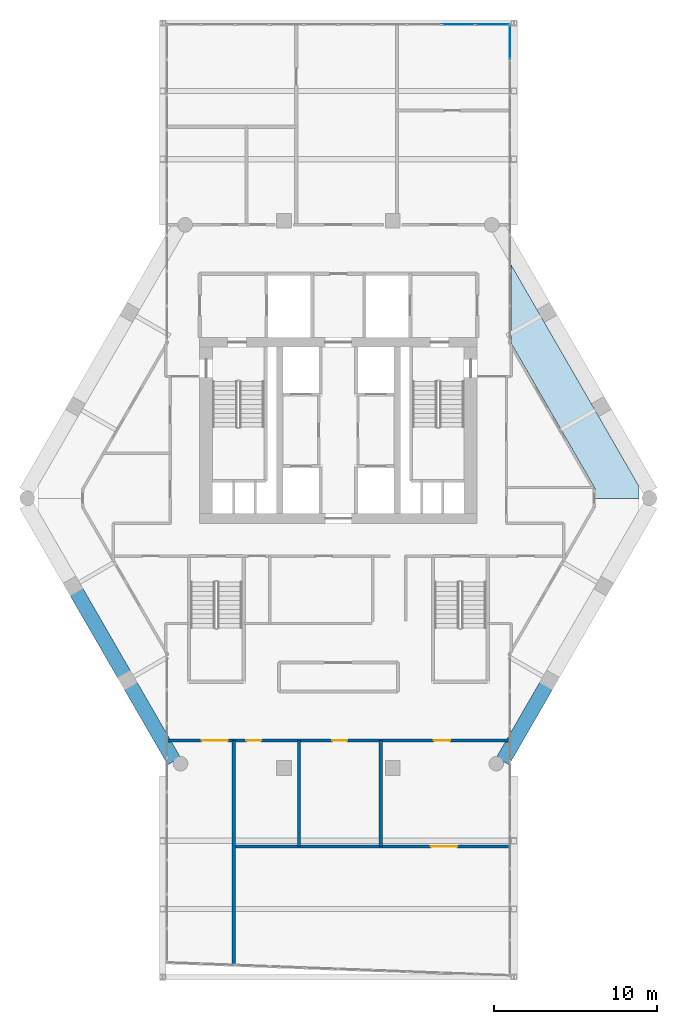
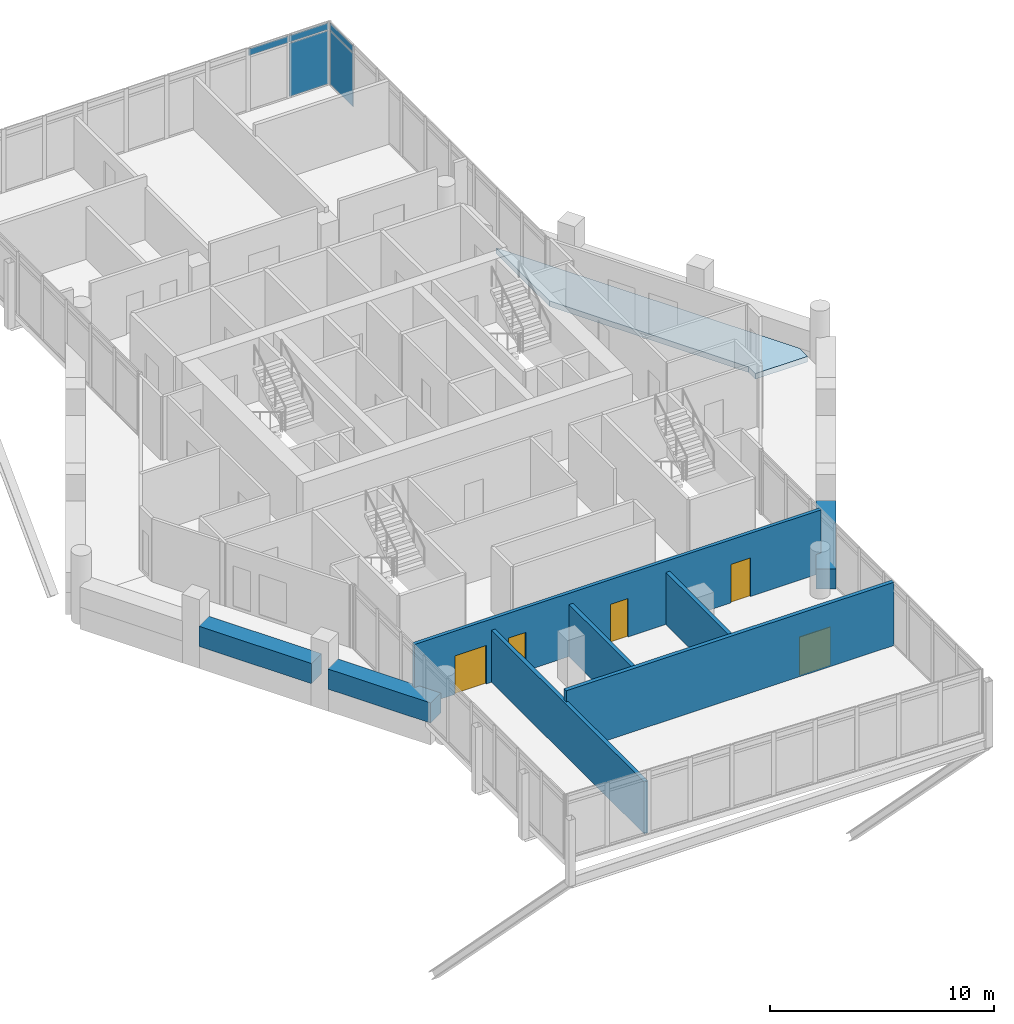
# One storey, part 28 of 34: 8 walls, 5 doors, 5 plates, 1 slab, 5 openings, 2 elements without a shape of their own.
"""IFC4 building model written with IfcOpenShell, lengths in metres."""

from ifc_helpers import new_model, si_unit, direction, frame, frame_2d, origin, origin_2d, place, context, subcontext, project, spatial, polyline, rectangle, outline, extrude, material, layer, layer_set, type_object, element, fill, aggregate, save


model = new_model("IFC4")

# Units and contexts
model_context = context("Model", 3, precision=1e-05, world=origin(), true_north=direction((0.0, 1.0)))
body_context = subcontext(model_context, "Body", "Model", "MODEL_VIEW")
ifc_project = project(units=[si_unit("LENGTHUNIT", "METRE"), si_unit("AREAUNIT", "SQUARE_METRE"), si_unit("VOLUMEUNIT", "CUBIC_METRE"), si_unit("PLANEANGLEUNIT", "RADIAN"), si_unit("MASSUNIT", "GRAM", prefix="KILO")], contexts=[model_context])

# Site, building, storey
site_placement = place(None, origin())
site = spatial("IfcSite", under=ifc_project, at=site_placement, CompositionType="ELEMENT")
building_placement = place(site_placement, origin())
building = spatial("IfcBuilding", under=site, at=building_placement, Name="Ostrander Bayou Hotel Tower", CompositionType="ELEMENT")
storey_placement = place(building_placement, frame((0.0, 0.0, 222.0)))
storey = spatial("IfcBuildingStorey", under=building, at=storey_placement, Name="L55", CompositionType="ELEMENT", Elevation=222.0)

# Curtain wall, plates
ifc_material_1 = material(Name="Aluminium and clear glass", Category="aluminium")
curtain_wall_type = type_object("IfcCurtainWallType", Name="CW-BAR glazed wall", PredefinedType="NOTDEFINED", material=ifc_material_1)
curtain_wall_1_placement = place(storey_placement, origin())
curtain_wall_1 = element("IfcCurtainWall", 1, at=curtain_wall_1_placement, inside=storey, type_object=curtain_wall_type, Name="CW-BAR L55:SB5N:T", PredefinedType="NOTDEFINED")
ifc_material_2 = material(Name="Clear laminated glass", Category="glass")
ifc_layer_1 = layer(ifc_material_2, 0.028076171875)
ifc_layer_set_1 = layer_set([ifc_layer_1], Name="CW-BR glazing panel 28 mm")
plate_type = type_object("IfcPlateType", Name="CW-BR glazing panel 28 mm", PredefinedType="CURTAIN_PANEL", material=ifc_layer_set_1)
plate_1_placement = place(storey_placement, frame((7.358642578125, 28.86669921875, 3.02978515625), z_axis=(0.0, 0.0, 1.0), x_axis=(1.0, 0.0, 0.0)))
plate_1 = element("IfcPlate", 2, at=plate_1_placement, type_object=plate_type, Name="CW-BAR panel 9.2", PredefinedType="CURTAIN_PANEL", context=body_context, shape_type="SweptSolid", body=[
    extrude(rectangle(XDim=2.04248046875, YDim=0.028076171875, at=origin_2d()), origin(), (0.0, 0.0, 1.0), 0.360107421875),
])
plate_2_placement = place(storey_placement, frame((9.446044921875, 28.86669921875, 0.06005859375), z_axis=(0.0, 0.0, 1.0), x_axis=(1.0, 0.0, 0.0)))
plate_2 = element("IfcPlate", 3, at=plate_2_placement, type_object=plate_type, Name="CW-BAR panel 10.1", PredefinedType="CURTAIN_PANEL", context=body_context, shape_type="SweptSolid", body=[
    extrude(rectangle(XDim=2.012451171875, YDim=0.028076171875, at=origin_2d()), origin(), (0.0, 0.0, 1.0), 2.909912109375),
])
plate_3_placement = place(storey_placement, frame((9.446044921875, 28.86669921875, 3.02978515625), z_axis=(0.0, 0.0, 1.0), x_axis=(1.0, 0.0, 0.0)))
plate_3 = element("IfcPlate", 4, at=plate_3_placement, type_object=plate_type, Name="CW-BAR panel 10.2", PredefinedType="CURTAIN_PANEL", context=body_context, shape_type="SweptSolid", body=[
    extrude(rectangle(XDim=2.012451171875, YDim=0.028076171875, at=origin_2d()), origin(), (0.0, 0.0, 1.0), 0.360107421875),
])
aggregate(curtain_wall_1, [plate_1, plate_2, plate_3])

curtain_wall_2_placement = place(storey_placement, origin())
curtain_wall_2 = element("IfcCurtainWall", 5, at=curtain_wall_2_placement, inside=storey, type_object=curtain_wall_type, Name="CW-BAR L55:SB5N:W", PredefinedType="NOTDEFINED")
plate_4_placement = place(storey_placement, frame((10.51220703125, 27.773681640625, 0.06005859375), z_axis=(0.0, 0.0, 1.0), x_axis=(0.0, 1.0, 0.0)))
plate_4 = element("IfcPlate", 6, at=plate_4_placement, type_object=plate_type, Name="CW-BAR panel 9.1", PredefinedType="CURTAIN_PANEL", context=body_context, shape_type="SweptSolid", body=[
    extrude(rectangle(XDim=2.065673828125, YDim=0.028076171875, at=origin_2d()), origin(), (0.0, 0.0, 1.0), 2.909912109375),
])
plate_5_placement = place(storey_placement, frame((10.51220703125, 27.773681640625, 3.02978515625), z_axis=(0.0, 0.0, 1.0), x_axis=(0.0, 1.0, 0.0)))
plate_5 = element("IfcPlate", 7, at=plate_5_placement, type_object=plate_type, Name="CW-BAR panel 9.2", PredefinedType="CURTAIN_PANEL", context=body_context, shape_type="SweptSolid", body=[
    extrude(rectangle(XDim=2.065673828125, YDim=0.028076171875, at=origin_2d()), origin(), (0.0, 0.0, 1.0), 0.360107421875),
])
aggregate(curtain_wall_2, [plate_4, plate_5])

# Slab
ifc_material_3 = material(Name="Concrete f'c 40 MPa", Category="concrete")
ifc_layer_2 = layer(ifc_material_3, 0.300048828125)
ifc_layer_set_2 = layer_set([ifc_layer_2], Name="SL4 loggia slab 300 mm f'c 40 MPa")
slab_type = type_object("IfcSlabType", Name="SL4 loggia slab 300 mm f'c 40 MPa", PredefinedType="FLOOR", material=ifc_layer_set_2)
slab_placement = place(storey_placement, frame((0.0, 0.0, -0.300048828125)))
element("IfcSlab", 8, at=slab_placement, inside=storey, type_object=slab_type, Name="SL4 LOGGIA L55 NE 1", PredefinedType="FLOOR", context=body_context, shape_type="SweptSolid", body=[
    extrude(outline(polyline([(10.587158203125, 14.135009765625), (12.186279296875, 11.365234375), (12.6064453125, 10.6376953125), (15.515869140625, 5.5986328125), (15.935791015625, 4.87109375), (18.40966796875, 0.586181640625), (18.40966796875, -0.163818359375), (15.724853515625, -0.163818359375), (15.724853515625, 0.436279296875), (10.587158203125, 9.335205078125), (10.587158203125, 14.135009765625)])), origin(), (0.0, 0.0, 1.0), 0.300048828125),
])

# Walls
ifc_material_4 = material(Name="Limestone masonry", Category="masonry")
ifc_layer_3 = layer(ifc_material_4, 0.89990234375)
ifc_layer_set_3 = layer_set([ifc_layer_3], Name="PA2 limestone parapet 900 mm")
wall_type_1 = type_object("IfcWallType", Name="PA2 limestone parapet 900 mm", PredefinedType="PARAPET", material=ifc_layer_set_3)
wall_1_placement = place(storey_placement, frame((-16.047119140625, -5.905517578125, 0.0), z_axis=(0.0, 0.0, 1.0), x_axis=(0.500015433515, -0.866016493057, 0.0)))
element("IfcWall", 9, at=wall_1_placement, inside=storey, type_object=wall_type_1, Name="PA2 L55 SW-2", PredefinedType="PARAPET", context=body_context, shape_type="SweptSolid", body=[
    extrude(rectangle(XDim=5.818603515625, YDim=0.89990234375, at=frame_2d((2.9091796875, 0.0))), origin(), (0.0, 0.0, 1.0), 1.10009765625),
])
for number, where, z_axis, x_axis, name in (
    (10, (-12.7177734375, -11.672119140625, 0.0), (0.0, 0.0, 1.0), (0.500001430823, -0.866024577697, 0.0), "PA2 L55 SW-3"),
    (11, (10.06640625, -16.264404296875, 0.0), (0.0, 0.0, 1.0), (0.500001430823, 0.866024577697, 0.0), "PA2 L55 SE-1"),
):
    element("IfcWall", number, at=place(storey_placement, frame(where, z_axis=z_axis, x_axis=x_axis)), inside=storey, type_object=wall_type_1, Name=name, PredefinedType="PARAPET", context=body_context, shape_type="SweptSolid", body=[
        extrude(rectangle(XDim=5.302734375, YDim=0.89990234375, at=frame_2d((2.6513671875, 0.0))), origin(), (0.0, 0.0, 1.0), 1.10009765625),
    ])

# Wall, opening, door
ifc_material_5 = material(Name="Gypsum board partition", Category="finish")
ifc_layer_4 = layer(ifc_material_5, 0.199951171875)
ifc_layer_set_4 = layer_set([ifc_layer_4], Name="PT3 demising wall 200 mm acoustic double stud, 1 hour")
wall_type_2 = type_object("IfcWallType", Name="PT3 demising wall 200 mm acoustic double stud, 1 hour", PredefinedType="PARTITIONING", material=ifc_layer_set_4)
wall_2_placement = place(storey_placement, frame((-6.412841796875, -21.5, 0.0), z_axis=(0.0, 0.0, 1.0), x_axis=(1.0, 0.0, 0.0)))
wall_2 = element("IfcWall", 12, at=wall_2_placement, inside=storey, type_object=wall_type_2, Name="sw:L55:510", PredefinedType="PARTITIONING", context=body_context, shape_type="SweptSolid", body=[
    extrude(rectangle(XDim=16.906005859375, YDim=0.199951171875, at=frame_2d((8.453125, 0.0))), origin(), (0.0, 0.0, 1.0), 3.449951171875),
])
opening_1_placement = place(wall_2_placement, frame((12.0849609375, 0.0, 0.0)))
opening_1 = element("IfcOpeningElement", 13, at=opening_1_placement, cuts=wall_2, Name="Opening T55-1205", PredefinedType="OPENING", context=body_context, shape_type="SweptSolid", body=[
    extrude(rectangle(XDim=1.60009765625, YDim=2.10009765625, at=frame_2d((0.800048828125, 1.050048828125))), frame((0.0, 0.10009765625, 0.0), z_axis=(0.0, -1.0, 0.0), x_axis=(1.0, 0.0, 0.0)), (0.0, 0.0, 1.0), 0.199951171875),
])
ifc_material_6 = material(Name="Timber door leaf", Category="wood")
door_type_1 = type_object("IfcDoorType", Name="D13 double door 1600 x 2100 mm, 1 hour", OperationType="SINGLE_SWING_LEFT", PredefinedType="DOOR", material=ifc_material_6)
door_1_placement = place(opening_1_placement, origin())
door_1 = element("IfcDoor", 14, at=door_1_placement, inside=storey, type_object=door_type_1, Name="dr:L55:1205", OperationType="DOUBLE_DOOR_SINGLE_SWING", OverallHeight=2.10009765625, OverallWidth=1.60009765625, PredefinedType="DOOR", context=body_context, shape_type="SweptSolid", body=[
    extrude(rectangle(XDim=1.60009765625, YDim=2.10009765625, at=frame_2d((0.800048828125, 1.050048828125))), frame((0.0, 0.02490234375, 0.0), z_axis=(0.0, -1.0, 0.0), x_axis=(1.0, 0.0, 0.0)), (0.0, 0.0, 1.0), 0.050048828125),
])
fill(opening_1, door_1)

# Walls
wall_3_placement = place(storey_placement, frame((-6.4130859375, -28.73876953125, 0.0), z_axis=(0.0, 0.0, 1.0), x_axis=(0.0, 1.0, 0.0)))
element("IfcWall", 15, at=wall_3_placement, inside=storey, type_object=wall_type_2, Name="sw:L55:513", PredefinedType="PARTITIONING", context=body_context, shape_type="SweptSolid", body=[
    extrude(rectangle(XDim=13.73876953125, YDim=0.199951171875, at=frame_2d((6.869384765625, 0.0))), origin(), (0.0, 0.0, 1.0), 2.8388671875),
])
for number, where, z_axis, x_axis, name in (
    (16, (-2.4130859375, -21.5, 0.0), (0.0, 0.0, 1.0), (0.0, 1.0, 0.0), "sw:L55:516"),
    (17, (2.5869140625, -21.5, 0.0), (0.0, 0.0, 1.0), (0.0, 1.0, 0.0), "sw:L55:517"),
):
    element("IfcWall", number, at=place(storey_placement, frame(where, z_axis=z_axis, x_axis=x_axis)), inside=storey, type_object=wall_type_2, Name=name, PredefinedType="PARTITIONING", context=body_context, shape_type="SweptSolid", body=[
        extrude(rectangle(XDim=6.5, YDim=0.199951171875, at=frame_2d((3.25, 0.0))), origin(), (0.0, 0.0, 1.0), 2.8388671875),
    ])

# Wall, openings, doors
ifc_material_7 = material(Name="Gypsum board partition", Category="finish")
ifc_layer_5 = layer(ifc_material_7, 0.175048828125)
ifc_layer_set_5 = layer_set([ifc_layer_5], Name="PT4 corridor wall 175 mm, 1 hour")
wall_type_3 = type_object("IfcWallType", Name="PT4 corridor wall 175 mm, 1 hour", PredefinedType="PARTITIONING", material=ifc_layer_set_5)
wall_4_placement = place(storey_placement, frame((-10.4931640625, -15.0, 0.0), z_axis=(0.0, 0.0, 1.0), x_axis=(1.0, 0.0, 0.0)))
wall_4 = element("IfcWall", 18, at=wall_4_placement, inside=storey, type_object=wall_type_3, Name="sw:L55:500", PredefinedType="PARTITIONING", context=body_context, shape_type="SweptSolid", body=[
    extrude(rectangle(XDim=20.986328125, YDim=0.175048828125, at=frame_2d((10.4931640625, 0.0))), origin(), (0.0, 0.0, 1.0), 3.449951171875),
])
opening_2_placement = place(wall_4_placement, frame((4.85986328125, 0.0, 0.0)))
opening_2 = element("IfcOpeningElement", 19, at=opening_2_placement, cuts=wall_4, Name="Opening T55-1201", PredefinedType="OPENING", context=body_context, shape_type="SweptSolid", body=[
    extrude(rectangle(XDim=0.89990234375, YDim=2.10009765625, at=frame_2d((0.449951171875, 1.050048828125))), frame((0.0, 0.08740234375, 0.0), z_axis=(0.0, -1.0, 0.0), x_axis=(1.0, 0.0, 0.0)), (0.0, 0.0, 1.0), 0.175048828125),
])
opening_3_placement = place(wall_4_placement, frame((10.13037109375, 0.0, 0.0)))
opening_3 = element("IfcOpeningElement", 20, at=opening_3_placement, cuts=wall_4, Name="Opening T55-1202", PredefinedType="OPENING", context=body_context, shape_type="SweptSolid", body=[
    extrude(rectangle(XDim=0.89990234375, YDim=2.10009765625, at=frame_2d((0.449951171875, 1.050048828125))), frame((0.0, 0.08740234375, 0.0), z_axis=(0.0, -1.0, 0.0), x_axis=(1.0, 0.0, 0.0)), (0.0, 0.0, 1.0), 0.175048828125),
])
opening_4_placement = place(wall_4_placement, frame((16.343505859375, 0.0, 0.0)))
opening_4 = element("IfcOpeningElement", 21, at=opening_4_placement, cuts=wall_4, Name="Opening T55-1203", PredefinedType="OPENING", context=body_context, shape_type="SweptSolid", body=[
    extrude(rectangle(XDim=1.0, YDim=2.10009765625, at=frame_2d((0.5, 1.050048828125))), frame((0.0, 0.08740234375, 0.0), z_axis=(0.0, -1.0, 0.0), x_axis=(1.0, 0.0, 0.0)), (0.0, 0.0, 1.0), 0.175048828125),
])
opening_5_placement = place(wall_4_placement, frame((2.11328125, 0.0, 0.0)))
opening_5 = element("IfcOpeningElement", 22, at=opening_5_placement, cuts=wall_4, Name="Opening T55-1204", PredefinedType="OPENING", context=body_context, shape_type="SweptSolid", body=[
    extrude(rectangle(XDim=1.60009765625, YDim=2.10009765625, at=frame_2d((0.800048828125, 1.050048828125))), frame((0.0, 0.08740234375, 0.0), z_axis=(0.0, -1.0, 0.0), x_axis=(1.0, 0.0, 0.0)), (0.0, 0.0, 1.0), 0.175048828125),
])
door_2_placement = place(opening_5_placement, origin())
door_2 = element("IfcDoor", 23, at=door_2_placement, inside=storey, type_object=door_type_1, Name="dr:L55:1204", OperationType="DOUBLE_DOOR_SINGLE_SWING", OverallHeight=2.10009765625, OverallWidth=1.60009765625, PredefinedType="DOOR", context=body_context, shape_type="SweptSolid", body=[
    extrude(rectangle(XDim=1.60009765625, YDim=2.10009765625, at=frame_2d((0.800048828125, 1.050048828125))), frame((0.0, 0.02490234375, 0.0), z_axis=(0.0, -1.0, 0.0), x_axis=(1.0, 0.0, 0.0)), (0.0, 0.0, 1.0), 0.050048828125),
])
fill(opening_5, door_2)
ifc_material_8 = material(Name="Timber door leaf", Category="wood")
door_type_2 = type_object("IfcDoorType", Name="D8 room door 900 x 2100 mm", OperationType="SINGLE_SWING_LEFT", PredefinedType="DOOR", material=ifc_material_8)
door_3_placement = place(opening_2_placement, origin())
door_3 = element("IfcDoor", 24, at=door_3_placement, inside=storey, type_object=door_type_2, Name="dr:L55:1201", OperationType="SINGLE_SWING_LEFT", OverallHeight=2.10009765625, OverallWidth=0.89990234375, PredefinedType="DOOR", context=body_context, shape_type="SweptSolid", body=[
    extrude(rectangle(XDim=0.89990234375, YDim=2.10009765625, at=frame_2d((0.449951171875, 1.050048828125))), frame((0.0, 0.02490234375, 0.0), z_axis=(0.0, -1.0, 0.0), x_axis=(1.0, 0.0, 0.0)), (0.0, 0.0, 1.0), 0.050048828125),
])
fill(opening_2, door_3)
door_4_placement = place(opening_3_placement, origin())
door_4 = element("IfcDoor", 25, at=door_4_placement, inside=storey, type_object=door_type_2, Name="dr:L55:1202", OperationType="SINGLE_SWING_RIGHT", OverallHeight=2.10009765625, OverallWidth=0.89990234375, PredefinedType="DOOR", context=body_context, shape_type="SweptSolid", body=[
    extrude(rectangle(XDim=0.89990234375, YDim=2.10009765625, at=frame_2d((0.449951171875, 1.050048828125))), frame((0.0, 0.02490234375, 0.0), z_axis=(0.0, -1.0, 0.0), x_axis=(1.0, 0.0, 0.0)), (0.0, 0.0, 1.0), 0.050048828125),
])
fill(opening_3, door_4)
ifc_material_9 = material(Name="Timber door leaf", Category="wood")
door_type_3 = type_object("IfcDoorType", Name="D9 service door 1000 x 2100 mm, 30 minute", OperationType="SINGLE_SWING_LEFT", PredefinedType="DOOR", material=ifc_material_9)
door_5_placement = place(opening_4_placement, origin())
door_5 = element("IfcDoor", 26, at=door_5_placement, inside=storey, type_object=door_type_3, Name="dr:L55:1203", OperationType="SINGLE_SWING_LEFT", OverallHeight=2.10009765625, OverallWidth=1.0, PredefinedType="DOOR", context=body_context, shape_type="SweptSolid", body=[
    extrude(rectangle(XDim=1.0, YDim=2.10009765625, at=frame_2d((0.5, 1.050048828125))), frame((0.0, 0.02490234375, 0.0), z_axis=(0.0, -1.0, 0.0), x_axis=(1.0, 0.0, 0.0)), (0.0, 0.0, 1.0), 0.050048828125),
])
fill(opening_4, door_5)

save(model, "model.ifc")
